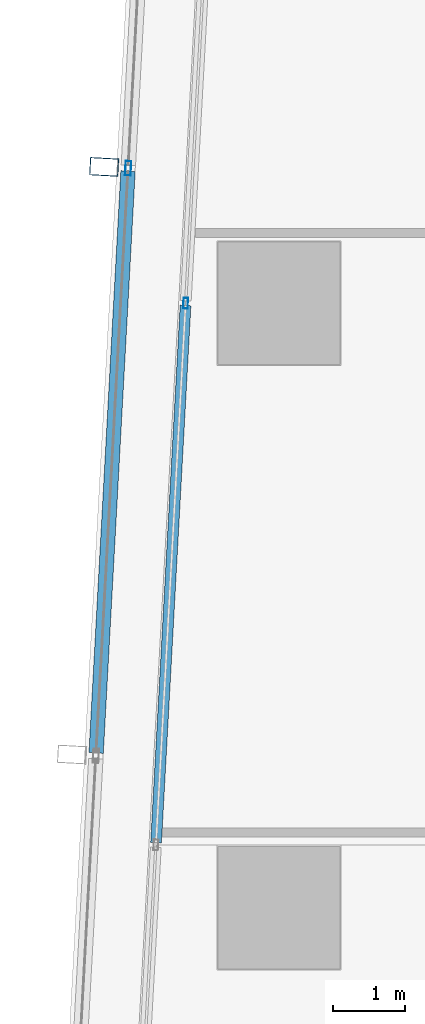
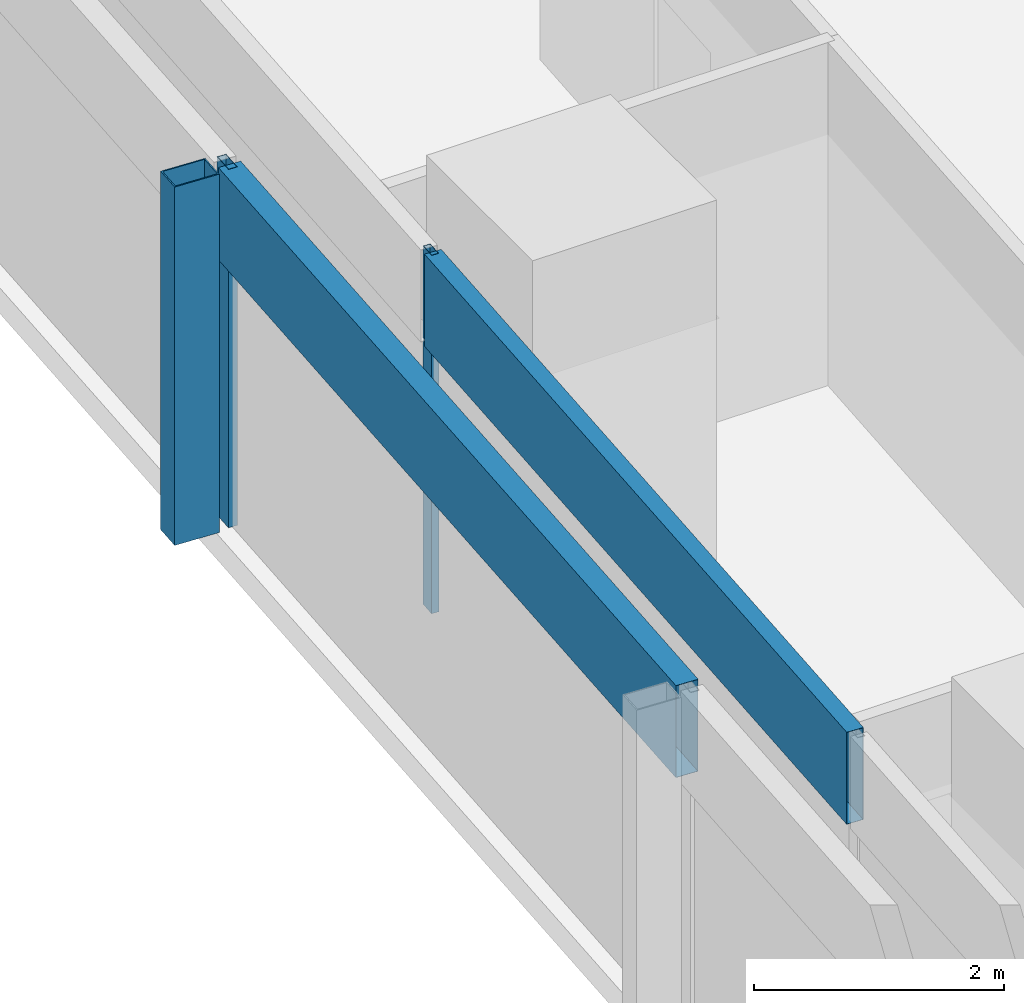
# One storey, part 14 of 40: 5 members, 2 elements without a shape of their own.
"""IFC4 building model written with IfcOpenShell, lengths in metres."""

from ifc_helpers import new_model, si_unit, direction, frame, origin, origin_2d, place, context, subcontext, project, spatial, hollow_rectangle, extrude, material, material_profile, profile_set, type_object, element, aggregate, save


model = new_model("IFC4")

# Units and contexts
model_context = context("Model", 3, precision=1e-05, world=origin(), true_north=direction((0.0, 1.0)))
body_context = subcontext(model_context, "Body", "Model", "MODEL_VIEW")
ifc_project = project(units=[si_unit("LENGTHUNIT", "METRE"), si_unit("AREAUNIT", "SQUARE_METRE"), si_unit("VOLUMEUNIT", "CUBIC_METRE"), si_unit("PLANEANGLEUNIT", "RADIAN"), si_unit("MASSUNIT", "GRAM", prefix="KILO")], contexts=[model_context])

# Site, building, storey
site_placement = place(None, origin())
site = spatial("IfcSite", under=ifc_project, at=site_placement, CompositionType="ELEMENT")
building_placement = place(site_placement, origin())
building = spatial("IfcBuilding", under=site, at=building_placement, Name="Rekha Terrace Tower", CompositionType="ELEMENT")
storey_placement = place(building_placement, frame((0.0, 0.0, 129.050048828125)))
storey = spatial("IfcBuildingStorey", under=building, at=storey_placement, Name="L32", CompositionType="ELEMENT", Elevation=129.050048828125)

# Curtain wall, member
ifc_material_1 = material(Name="Aluminium framing", Category="aluminium")
curtain_wall_type_1 = type_object("IfcCurtainWallType", Name="CW2 double skin outer glazing", PredefinedType="USERDEFINED", material=ifc_material_1)
curtain_wall_1_placement = place(storey_placement, origin())
curtain_wall_1 = element("IfcCurtainWall", 1, at=curtain_wall_1_placement, inside=storey, type_object=curtain_wall_type_1, Name="CW2 double skin outer glazing", ObjectType="DOUBLE SKIN OUTER GLAZING", PredefinedType="USERDEFINED")
ifc_material_2 = material(Name="Steel S355 with fluorocarbon finish", Category="steel")
ifc_material_profile_1 = material_profile(ifc_material_2, hollow_rectangle(XDim=0.25, YDim=0.39990234375, WallThickness=0.012451171875, at=origin_2d()), Name="RHS400x250x12.5")
ifc_profile_set_1 = profile_set([ifc_material_profile_1], Name="Steel S355 with fluorocarbon finish")
member_type_1 = type_object("IfcMemberType", Name="BL1 facade blade RHS 400 x 250", PredefinedType="USERDEFINED", material=ifc_profile_set_1)
member_1_placement = place(storey_placement, frame((5.969482421875, 52.29638671875, 0.0), z_axis=(0.0, 0.0, 1.0), x_axis=(-0.054742798353, -0.998500488747, 0.0)))
member_1 = element("IfcMember", 2, at=member_1_placement, type_object=member_type_1, Name="Facade blade", ObjectType="FACADE BLADE", PredefinedType="USERDEFINED", context=body_context, shape_type="SweptSolid", body=[
    extrude(hollow_rectangle(XDim=0.25, YDim=0.39990234375, WallThickness=0.012451171875, at=origin_2d()), origin(), (0.0, 0.0, 1.0), 3.5),
])

# Curtain wall, members
curtain_wall_type_2 = type_object("IfcCurtainWallType", Name="CW1 double skin inner glazing", PredefinedType="USERDEFINED", material=ifc_material_1)
curtain_wall_2_placement = place(storey_placement, origin())
curtain_wall_2 = element("IfcCurtainWall", 3, at=curtain_wall_2_placement, inside=storey, type_object=curtain_wall_type_2, Name="CW1 double skin inner glazing", ObjectType="DOUBLE SKIN INNER GLAZING", PredefinedType="USERDEFINED")
ifc_material_3 = material(Name="Aluminium mullion section", Category="aluminium")
ifc_material_profile_2 = material_profile(ifc_material_3, hollow_rectangle(XDim=0.06494140625, YDim=0.14990234375, WallThickness=0.00390625, at=origin_2d()), Name="AL RHS 65x150")
ifc_profile_set_2 = profile_set([ifc_material_profile_2], Name="Aluminium mullion section")
member_type_2 = type_object("IfcMemberType", Name="CW1 mullion RHS 65 x 150", PredefinedType="MULLION", material=ifc_profile_set_2)
member_2_placement = place(storey_placement, frame((7.1025390625, 50.40234375, 0.0), z_axis=(0.0, 0.0, 1.0), x_axis=(0.99850051318, -0.054742352707, 0.0)))
member_2 = element("IfcMember", 4, at=member_2_placement, type_object=member_type_2, Name="CW1 mullion 2", PredefinedType="MULLION", context=body_context, shape_type="SweptSolid", body=[
    extrude(hollow_rectangle(XDim=0.06494140625, YDim=0.14990234375, WallThickness=0.00390625, at=origin_2d()), origin(), (0.0, 0.0, 1.0), 3.5),
])
ifc_material_4 = material(Name="Insulated aluminium spandrel box", Category="aluminium")
ifc_material_profile_3 = material_profile(ifc_material_4, hollow_rectangle(XDim=0.14990234375, YDim=0.89990234375, WallThickness=0.0029296875, at=origin_2d()), Name="AL SPANDREL BOX 150x900")
ifc_profile_set_3 = profile_set([ifc_material_profile_3], Name="Insulated aluminium spandrel box")
member_type_3 = type_object("IfcMemberType", Name="CW1 spandrel transom 150 x 900", PredefinedType="USERDEFINED", material=ifc_profile_set_3)
member_3_placement = place(storey_placement, frame((7.100830078125, 50.369873046875, 3.050048828125), z_axis=(-0.054764629515, -0.998499291614, 0.0), x_axis=(0.998499291614, -0.054764629515, 0.0)))
member_3 = element("IfcMember", 5, at=member_3_placement, type_object=member_type_3, Name="CW1 spandrel transom 2", ObjectType="TRANSOM", PredefinedType="USERDEFINED", context=body_context, shape_type="SweptSolid", body=[
    extrude(hollow_rectangle(XDim=0.14990234375, YDim=0.89990234375, WallThickness=0.0029296875, at=origin_2d()), origin(), (0.0, 0.0, 1.0), 7.47607421875),
])
aggregate(curtain_wall_2, [member_2, member_3])

# Member
ifc_material_profile_4 = material_profile(ifc_material_3, hollow_rectangle(XDim=0.080078125, YDim=0.199951171875, WallThickness=0.00390625, at=origin_2d()), Name="AL RHS 80x200")
ifc_profile_set_4 = profile_set([ifc_material_profile_4], Name="Aluminium mullion section")
member_type_4 = type_object("IfcMemberType", Name="CW2 mullion RHS 80 x 200", PredefinedType="MULLION", material=ifc_profile_set_4)
member_4_placement = place(storey_placement, frame((6.303955078125, 52.278076171875, 0.0), z_axis=(0.0, 0.0, 1.0), x_axis=(0.99850051318, -0.054742352707, 0.0)))
member_4 = element("IfcMember", 6, at=member_4_placement, type_object=member_type_4, Name="CW2 mullion 2", PredefinedType="MULLION", context=body_context, shape_type="SweptSolid", body=[
    extrude(hollow_rectangle(XDim=0.080078125, YDim=0.199951171875, WallThickness=0.00390625, at=origin_2d()), origin(), (0.0, 0.0, 1.0), 3.5),
])

ifc_material_profile_5 = material_profile(ifc_material_4, hollow_rectangle(XDim=0.199951171875, YDim=0.89990234375, WallThickness=0.0029296875, at=origin_2d()), Name="AL SPANDREL BOX 200x900")
ifc_profile_set_5 = profile_set([ifc_material_profile_5], Name="Insulated aluminium spandrel box")
member_type_5 = type_object("IfcMemberType", Name="CW2 spandrel transom 200 x 900", PredefinedType="USERDEFINED", material=ifc_profile_set_5)
member_5_placement = place(storey_placement, frame((6.3017578125, 52.23828125, 3.050048828125), z_axis=(-0.054735499102, -0.998500888902, 0.0), x_axis=(0.998500888902, -0.054735499102, 0.0)))
member_5 = element("IfcMember", 7, at=member_5_placement, type_object=member_type_5, Name="CW2 spandrel transom 2", ObjectType="TRANSOM", PredefinedType="USERDEFINED", context=body_context, shape_type="SweptSolid", body=[
    extrude(hollow_rectangle(XDim=0.199951171875, YDim=0.89990234375, WallThickness=0.0029296875, at=origin_2d()), origin(), (0.0, 0.0, 1.0), 8.10009765625),
])

aggregate(curtain_wall_1, [member_4, member_5, member_1])

save(model, "model.ifc")
